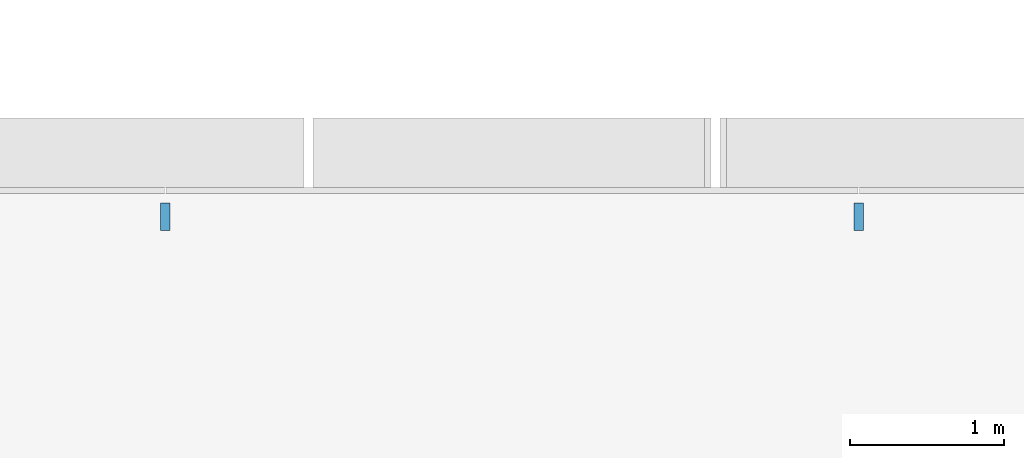
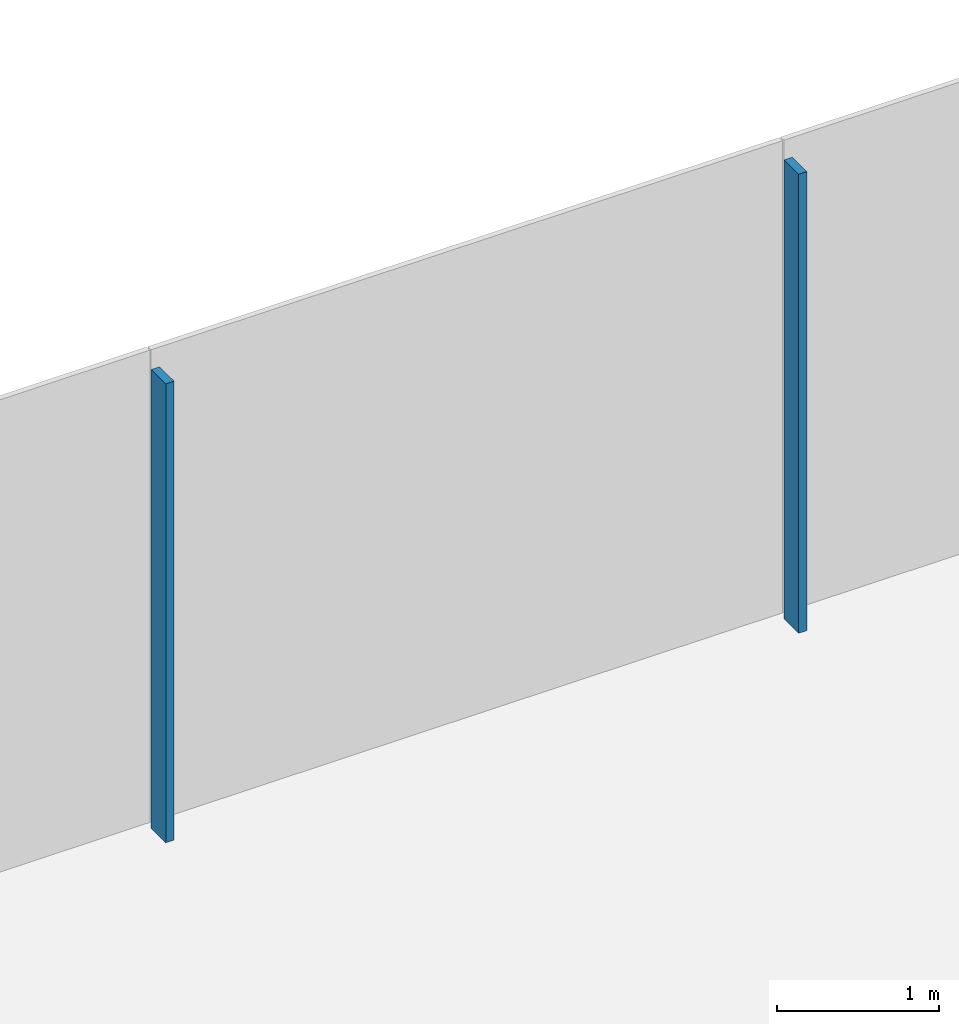
# One storey, part 5 of 18: 2 members, 1 element without a shape of its own.
"""IFC4 building model written with IfcOpenShell, lengths in metres."""

import ifcopenshell
import ifcopenshell.guid

model = None  # the IFC model being written
_history = None  # IfcOwnerHistory: only IFC2X3 demands one
_inside = {}  # id of a spatial element -> (the spatial element, [elements in it])
_under = {}  # id of a project, library or spatial element -> (it, [spatial elements below it])
_declared = {}  # id of a project -> (the project, [libraries it declares])
_typed = {}  # id of a type object -> (the type object, [elements of that type])
_made_of = {}  # id of a material, layer set ... -> (it, [elements and type objects made of it])


def new_model(schema):
    """Start an empty IFC model of exactly this schema.

    Asked for "IFC4X3", IfcOpenShell would pick the latest addendum, in which some entities
    have other attributes; the version numbers below select the first issue.
    IFC2X3 requires an IfcOwnerHistory on every rooted entity: one is made here for all.
    """
    global model, _history
    if schema == "IFC4X3":
        model = ifcopenshell.file(schema_version=(4, 3, 0, 0))
    else:
        model = ifcopenshell.file(schema=schema)
    _inside.clear()
    _under.clear()
    _declared.clear()
    _typed.clear()
    _made_of.clear()
    _history = None
    if model.schema == "IFC2X3":
        org = make("IfcOrganization", Name="unknown")
        user = make(
            "IfcPersonAndOrganization",
            ThePerson=make("IfcPerson", FamilyName="unknown"),
            TheOrganization=org,
        )
        app = make(
            "IfcApplication",
            ApplicationDeveloper=org,
            Version="unknown",
            ApplicationFullName="unknown",
            ApplicationIdentifier="unknown",
        )
        _history = make(
            "IfcOwnerHistory",
            OwningUser=user,
            OwningApplication=app,
            ChangeAction="ADDED",
            CreationDate=0,
        )
    return model


def make(cls, **values):
    """One entity of the class cls with the attributes given. An attribute that is None is left unset."""
    return model.create_entity(
        cls, **{name: value for name, value in values.items() if value is not None}
    )


def rooted(cls, **values):
    """An entity with a GlobalId (a new one), such as an element, a storey or a relation."""
    return make(cls, GlobalId=ifcopenshell.guid.new(), OwnerHistory=_history, **values)


def si_unit(unit_type, name, prefix=None):
    """IfcSIUnit, for example si_unit("LENGTHUNIT", "METRE", prefix="MILLI")."""
    return make("IfcSIUnit", UnitType=unit_type, Prefix=prefix, Name=name)


def assignment(units):
    """IfcUnitAssignment: the units of a project."""
    return None if units is None else make("IfcUnitAssignment", Units=units)


def point(xyz):
    """IfcCartesianPoint."""
    return None if xyz is None else make("IfcCartesianPoint", Coordinates=xyz)


def direction(xyz):
    """IfcDirection."""
    return None if xyz is None else make("IfcDirection", DirectionRatios=xyz)


def frame(location, z_axis=None, x_axis=None):
    """IfcAxis2Placement3D, a coordinate frame: its origin and axes. An axis left out is left unset."""
    return make(
        "IfcAxis2Placement3D",
        Location=point(location),
        Axis=direction(z_axis),
        RefDirection=direction(x_axis),
    )


def frame_2d(location, x_axis=None):
    """IfcAxis2Placement2D, a coordinate frame in the plane: its origin and x axis."""
    return make(
        "IfcAxis2Placement2D", Location=point(location), RefDirection=direction(x_axis)
    )


def origin():
    """The frame at (0, 0, 0) with its axes left unset."""
    return frame((0.0, 0.0, 0.0))


def origin_2d():
    """The frame at (0, 0) in the plane with its x axis left unset."""
    return frame_2d((0.0, 0.0))


def place(relative_to, where):
    """IfcLocalPlacement: puts the frame where relative to a parent placement (None: the world)."""
    return make(
        "IfcLocalPlacement", PlacementRelTo=relative_to, RelativePlacement=where
    )


def context(
    kind, dimensions, precision=None, world=None, true_north=None, identifier=None
):
    """IfcGeometricRepresentationContext, for example the 3D "Model" context."""
    return make(
        "IfcGeometricRepresentationContext",
        ContextIdentifier=identifier,
        ContextType=kind,
        CoordinateSpaceDimension=dimensions,
        Precision=precision,
        WorldCoordinateSystem=world,
        TrueNorth=true_north,
    )


def subcontext(parent, identifier, kind, view, scale=None):
    """IfcGeometricRepresentationSubContext, for example "Body" below "Model"."""
    return make(
        "IfcGeometricRepresentationSubContext",
        ContextIdentifier=identifier,
        ContextType=kind,
        ParentContext=parent,
        TargetScale=scale,
        TargetView=view,
    )


def project(units=None, contexts=None):
    """IfcProject with its units and contexts."""
    return rooted(
        "IfcProject",
        Name="project",
        RepresentationContexts=contexts,
        UnitsInContext=assignment(units),
    )


def spatial(cls, under=None, at=None, **own):
    """A site, building, storey or space (cls), placed at a placement, below another one or the project."""
    s = rooted(cls, ObjectPlacement=at, **own)
    if under is not None:
        _under.setdefault(under.id(), (under, []))[1].append(s)
    return s


def profile(cls, at=None, kind="AREA", **sizes):
    """A parametric profile (cls). Its sizes go by their IFC names, for example OverallWidth=200.0."""
    return make(cls, ProfileType=kind, Position=at, **sizes)


def rectangle(**sizes):
    """IfcRectangleProfileDef."""
    return profile("IfcRectangleProfileDef", **sizes)


def extrude(swept, where, along, depth):
    """IfcExtrudedAreaSolid: the profile swept, set in the frame where, extruded along a direction by depth."""
    return make(
        "IfcExtrudedAreaSolid",
        SweptArea=swept,
        Position=where,
        ExtrudedDirection=direction(along),
        Depth=depth,
    )


def shape(context_of_items, identifier, shape_type, items):
    """IfcShapeRepresentation: the items that make up one representation, for example the "Body"."""
    return make(
        "IfcShapeRepresentation",
        ContextOfItems=context_of_items,
        RepresentationIdentifier=identifier,
        RepresentationType=shape_type,
        Items=items,
    )


def material(Name=None, Category=None):
    """IfcMaterial."""
    return make("IfcMaterial", Name=Name, Category=Category)


def layer(
    of_material, thickness, ventilated=None, Name=None, Category=None, Priority=None
):
    """IfcMaterialLayer: one layer of a wall or slab, of a material (None: an air gap)."""
    return make(
        "IfcMaterialLayer",
        Material=of_material,
        LayerThickness=thickness,
        IsVentilated=ventilated,
        Name=Name,
        Category=Category,
        Priority=Priority,
    )


def layer_set(layers, Name=None):
    """IfcMaterialLayerSet."""
    return make("IfcMaterialLayerSet", MaterialLayers=layers, LayerSetName=Name)


def material_profile(
    of_material, cross_section, Name=None, Category=None, Priority=None
):
    """IfcMaterialProfile: a cross section and its material."""
    return make(
        "IfcMaterialProfile",
        Name=Name,
        Material=of_material,
        Profile=cross_section,
        Priority=Priority,
        Category=Category,
    )


def profile_set(profiles, Name=None, composite=None):
    """IfcMaterialProfileSet."""
    return make(
        "IfcMaterialProfileSet",
        Name=Name,
        MaterialProfiles=profiles,
        CompositeProfile=composite,
    )


def made_of(thing, what):
    """Note that an element or type object is made of a material, layer set ...; save() writes the relation."""
    if what is not None:
        _made_of.setdefault(what.id(), (what, []))[1].append(thing)
    return thing


def type_object(cls, material=None, **own):
    """A type object (cls), such as IfcWallType, which elements share."""
    return made_of(rooted(cls, **own), material)


def element(
    cls,
    number,
    at=None,
    inside=None,
    cuts=None,
    type_object=None,
    material=None,
    context=None,
    identifier="Body",
    shape_type=None,
    held_by="IfcProductDefinitionShape",
    body=None,
    shapes=None,
    **own,
):
    """One element of the class cls, such as IfcWall. Its Tag is "e" and its number.

    at: its placement. inside: the storey or other place that contains it. cuts: it is an
    opening in that element (IfcRelVoidsElement). A single representation is given by context,
    identifier, shape_type and body (its items); several are given by shapes. held_by: the class
    of the entity that holds the representations. save() writes the other relations.
    """
    e = rooted(cls, Tag="e%d" % number, ObjectPlacement=at, **own)
    if body is not None:
        shapes = [shape(context, identifier, shape_type, body)]
    if shapes is not None:
        e.Representation = make(held_by, Representations=shapes)
    if inside is not None:
        _inside.setdefault(inside.id(), (inside, []))[1].append(e)
    if cuts is not None:
        rooted(
            "IfcRelVoidsElement", RelatingBuildingElement=cuts, RelatedOpeningElement=e
        )
    if type_object is not None:
        _typed.setdefault(type_object.id(), (type_object, []))[1].append(e)
    return made_of(e, material)


def aggregate(whole, parts):
    """IfcRelAggregates: a whole, such as a stair, and the parts it consists of."""
    return rooted("IfcRelAggregates", RelatingObject=whole, RelatedObjects=parts)


def save(model, path):
    """Write the relations noted so far, then the file.

    IfcRelAggregates (storeys below a building ...), IfcRelContainedInSpatialStructure (elements
    in a storey), IfcRelDefinesByType, IfcRelAssociatesMaterial and IfcRelDeclares: one each for
    every whole, place, type object, material and project.
    """
    for whole, parts in _under.values():
        aggregate(whole, parts)
    for where, things in _inside.values():
        rooted(
            "IfcRelContainedInSpatialStructure",
            RelatedElements=things,
            RelatingStructure=where,
        )
    for kind, things in _typed.values():
        rooted("IfcRelDefinesByType", RelatedObjects=things, RelatingType=kind)
    for what, things in _made_of.values():
        rooted("IfcRelAssociatesMaterial", RelatedObjects=things, RelatingMaterial=what)
    for by, libraries in _declared.values():
        rooted("IfcRelDeclares", RelatingContext=by, RelatedDefinitions=libraries)
    model.write(path)


model = new_model("IFC4")

# Units and contexts
model_context = context("Model", 3, precision=1e-05, world=origin(), true_north=direction((0.0, 1.0)))
body_context = subcontext(model_context, "Body", "Model", "MODEL_VIEW")
ifc_project = project(units=[si_unit("LENGTHUNIT", "METRE"), si_unit("AREAUNIT", "SQUARE_METRE"), si_unit("VOLUMEUNIT", "CUBIC_METRE"), si_unit("PLANEANGLEUNIT", "RADIAN"), si_unit("MASSUNIT", "GRAM", prefix="KILO")], contexts=[model_context])

# Site, building, storey
site_placement = place(None, origin())
site = spatial("IfcSite", under=ifc_project, at=site_placement, CompositionType="ELEMENT")
building_placement = place(site_placement, origin())
building = spatial("IfcBuilding", under=site, at=building_placement, Name="Shamsa Quay Exchange Towers", CompositionType="ELEMENT")
storey_placement = place(building_placement, frame((0.0, 0.0, 113.10009765625)))
storey = spatial("IfcBuildingStorey", under=building, at=storey_placement, Name="L26", CompositionType="ELEMENT", Elevation=113.10009765625)

# Curtain wall, members
ifc_material = material(Name="Aluminium EN AW-6063 T6, black anodised", Category="aluminium")
ifc_layer = layer(ifc_material, 0.280029296875)
ifc_layer_set = layer_set([ifc_layer], Name="CW-1 UNITISED VISION GLASS")
curtain_wall_type = type_object("IfcCurtainWallType", Name="CW-1 UNITISED VISION GLASS", PredefinedType="NOTDEFINED", material=ifc_layer_set)
curtain_wall_placement = place(storey_placement, origin())
curtain_wall = element("IfcCurtainWall", 1, at=curtain_wall_placement, inside=storey, type_object=curtain_wall_type, Name="CW1 T1-END-V+ L26", PredefinedType="NOTDEFINED")
ifc_material_profile = material_profile(ifc_material, rectangle(XDim=0.179931640625, YDim=0.06005859375, at=origin_2d()), Name="MU60x180")
ifc_profile_set = profile_set([ifc_material_profile], Name="Aluminium EN AW-6063 T6, black anodised")
member_type = type_object("IfcMemberType", Name="CW1 MULLION 60x180", PredefinedType="MULLION", material=ifc_profile_set)
member_1_placement = place(storey_placement, frame((-31.5, 20.10009765625, 0.0), z_axis=(0.0, 0.0, 1.0), x_axis=(0.0, -1.0, 0.0)))
member_1 = element("IfcMember", 2, at=member_1_placement, type_object=member_type, Name="CW1 mullion", PredefinedType="MULLION", context=body_context, shape_type="SweptSolid", body=[
    extrude(rectangle(XDim=0.179931640625, YDim=0.06005859375, at=origin_2d()), origin(), (0.0, 0.0, 1.0), 3.449951171875),
])
member_2_placement = place(storey_placement, frame((-36.0, 20.10009765625, 0.0), z_axis=(0.0, 0.0, 1.0), x_axis=(0.0, -1.0, 0.0)))
member_2 = element("IfcMember", 3, at=member_2_placement, type_object=member_type, Name="CW1 mullion", PredefinedType="MULLION", context=body_context, shape_type="SweptSolid", body=[
    extrude(rectangle(XDim=0.179931640625, YDim=0.06005859375, at=origin_2d()), origin(), (0.0, 0.0, 1.0), 3.449951171875),
])
aggregate(curtain_wall, [member_1, member_2])

save(model, "model.ifc")
